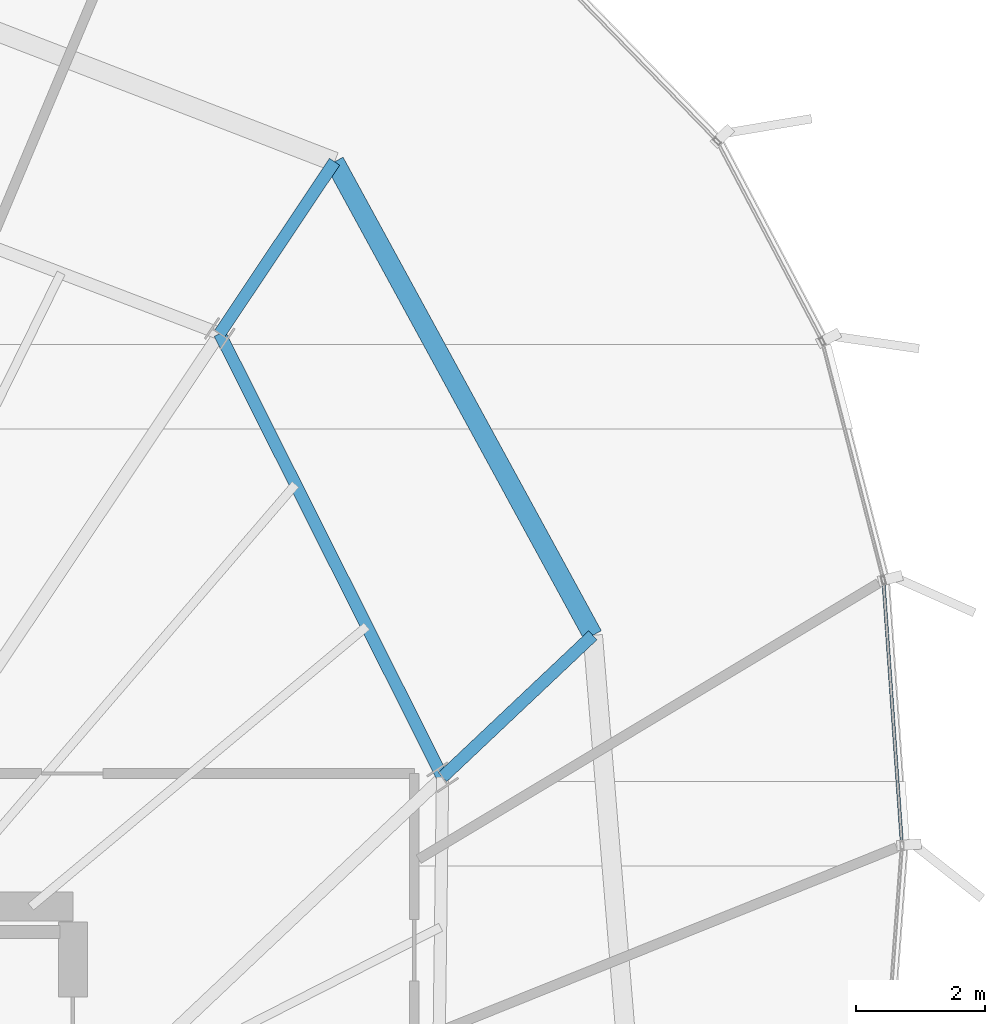
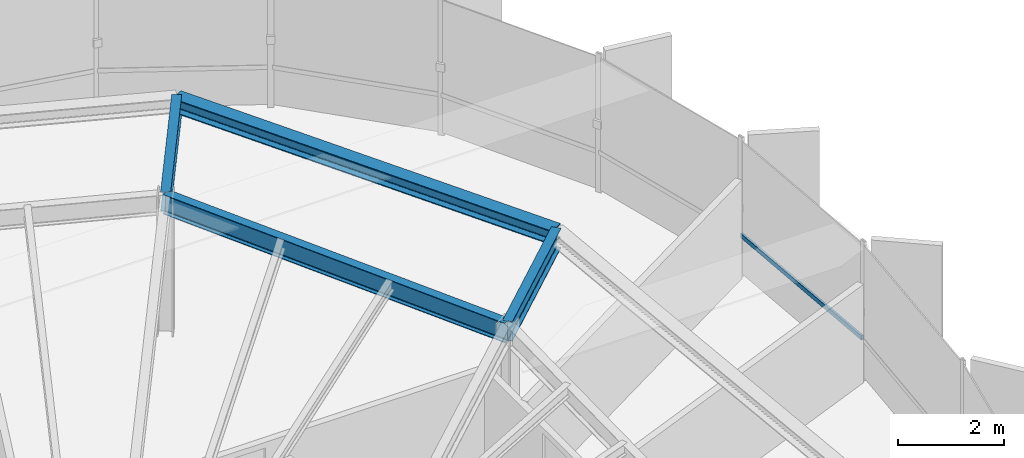
# One storey, part 25 of 35: 4 beams, 1 member, 1 element without a shape of its own.
"""IFC4 building model written with IfcOpenShell, lengths in metres."""

from ifc_helpers import new_model, si_unit, direction, frame, origin, origin_2d, place, context, subcontext, project, spatial, hollow_rectangle, i_section, extrude, source, transform, mapped, material, layer, layer_set, material_profile, profile_set, type_object, element, aggregate, save


model = new_model("IFC4")

# Units and contexts
model_context = context("Model", 3, precision=1e-05, world=origin(), true_north=direction((0.0, 1.0)))
body_context = subcontext(model_context, "Body", "Model", "MODEL_VIEW")
ifc_project = project(units=[si_unit("LENGTHUNIT", "METRE"), si_unit("AREAUNIT", "SQUARE_METRE"), si_unit("VOLUMEUNIT", "CUBIC_METRE"), si_unit("PLANEANGLEUNIT", "RADIAN"), si_unit("MASSUNIT", "GRAM", prefix="KILO"), si_unit("THERMODYNAMICTEMPERATUREUNIT", "KELVIN")], contexts=[model_context])

# Site, building, storey
site_placement = place(None, origin())
site = spatial("IfcSite", under=ifc_project, at=site_placement, CompositionType="ELEMENT")
building_placement = place(site_placement, origin())
building = spatial("IfcBuilding", under=site, at=building_placement, Name="Kethvar Cultural Tower", CompositionType="ELEMENT")
storey_placement = place(building_placement, frame((0.0, 0.0, 249.10009765625)))
storey = spatial("IfcBuildingStorey", under=building, at=storey_placement, Name="L65", CompositionType="ELEMENT", Elevation=249.10009765625)

# Beams
ifc_material_1 = material(Name="Steel S355J2", Category="steel")
ifc_material_profile_1 = material_profile(ifc_material_1, i_section(OverallWidth=0.18994140625, OverallDepth=0.449951171875, WebThickness=0.009521484375, FlangeThickness=0.0146484375, FilletRadius=0.02099609375, at=origin_2d()), Name="Steel S355J2 — IPE450")
ifc_profile_set_1 = profile_set([ifc_material_profile_1], Name="Steel S355J2 — IPE450")
beam_type_1 = type_object("IfcBeamType", Name="BM-IPE450", PredefinedType="BEAM", material=ifc_profile_set_1)
shared_shape_1 = source(origin(), body_context, "Body", "SweptSolid", [
    extrude(i_section(OverallWidth=0.18994140625, OverallDepth=0.449951171875, WebThickness=0.009521484375, FlangeThickness=0.0146484375, FilletRadius=0.02099609375, at=origin_2d()), origin(), (0.0, 0.0, 1.0), 3.199951171875),
])
beam_1_placement = place(storey_placement, frame((61.32568359375, 37.505859375, 2.98291015625), z_axis=(0.727146433404, 0.686482384616, 0.0), x_axis=(-0.686482384616, 0.727146433404, 0.0)))
element("IfcBeam", 1, at=beam_1_placement, inside=storey, type_object=beam_type_1, Name="L65 Perimeter Cantilever Beam RC-02", PredefinedType="BEAM", context=body_context, shape_type="MappedRepresentation", body=[
    mapped(shared_shape_1, transform((0.0, 0.0, 0.0), scale=1.0)),
])
shared_shape_2 = source(origin(), body_context, "Body", "SweptSolid", [
    extrude(i_section(OverallWidth=0.18994140625, OverallDepth=0.449951171875, WebThickness=0.009521484375, FlangeThickness=0.0146484375, FilletRadius=0.02099609375, at=origin_2d()), origin(), (0.0, 0.0, 1.0), 3.2001953125),
])
beam_2_placement = place(storey_placement, frame((57.875244140625, 44.375, 2.98291015625), z_axis=(0.555544970406, 0.831486491686, 0.0), x_axis=(-0.831486491686, 0.555544970406, 0.0)))
element("IfcBeam", 2, at=beam_2_placement, inside=storey, type_object=beam_type_1, Name="L65 Perimeter Cantilever Beam RC-03", PredefinedType="BEAM", context=body_context, shape_type="MappedRepresentation", body=[
    mapped(shared_shape_2, transform((0.0, 0.0, 0.0), scale=1.0)),
])
shared_shape_3 = source(origin(), body_context, "Body", "SweptSolid", [
    extrude(i_section(OverallWidth=0.18994140625, OverallDepth=0.449951171875, WebThickness=0.009521484375, FlangeThickness=0.0146484375, FilletRadius=0.02099609375, at=origin_2d()), origin(), (0.0, 0.0, 1.0), 7.68701171875),
])
beam_3_placement = place(storey_placement, frame((61.32568359375, 37.505859375, 2.98291015625), z_axis=(-0.448864354142, 0.893599905763, 0.0), x_axis=(-0.893599905763, -0.448864354142, 0.0)))
element("IfcBeam", 3, at=beam_3_placement, inside=storey, type_object=beam_type_1, Name="L65 Column Ring Tie Beam CR-02", PredefinedType="BEAM", context=body_context, shape_type="MappedRepresentation", body=[
    mapped(shared_shape_3, transform((0.0, 0.0, 0.0), scale=1.0)),
])
ifc_material_profile_2 = material_profile(ifc_material_1, i_section(OverallWidth=0.300048828125, OverallDepth=0.320068359375, WebThickness=0.011474609375, FlangeThickness=0.0205078125, FilletRadius=0.027099609375, at=origin_2d()), Name="Steel S355J2 — HEB320")
ifc_profile_set_2 = profile_set([ifc_material_profile_2], Name="Steel S355J2 — HEB320")
beam_type_2 = type_object("IfcBeamType", Name="BM-SP320", PredefinedType="SPANDREL", material=ifc_profile_set_2)
shared_shape_4 = source(origin(), body_context, "Body", "SweptSolid", [
    extrude(i_section(OverallWidth=0.300048828125, OverallDepth=0.320068359375, WebThickness=0.011474609375, FlangeThickness=0.0205078125, FilletRadius=0.027099609375, at=origin_2d()), origin(), (0.0, 0.0, 1.0), 8.35302734375),
])
beam_4_placement = place(storey_placement, frame((63.652587890625, 39.70263671875, 3.0478515625), z_axis=(-0.478811173891, 0.877917911742, 0.0), x_axis=(-0.877917911742, -0.478811173891, 0.0)))
element("IfcBeam", 4, at=beam_4_placement, inside=storey, type_object=beam_type_2, Name="L65 Perimeter Spandrel Beam SP-02", PredefinedType="SPANDREL", context=body_context, shape_type="MappedRepresentation", body=[
    mapped(shared_shape_4, transform((0.0, 0.0, 0.0), scale=1.0)),
])

# Curtain wall, member
ifc_material_2 = material(Name="Aluminium 6063-T6", Category="aluminium")
ifc_layer = layer(ifc_material_2, 0.179931640625, Name="Aluminium 6063-T6", Category="aluminium")
ifc_layer_set = layer_set([ifc_layer], Name="Aluminium 6063-T6 (180 mm)")
curtain_wall_type = type_object("IfcCurtainWallType", Name="CW-SYS-05-Z56", PredefinedType="NOTDEFINED", material=ifc_layer_set)
curtain_wall_placement = place(storey_placement, origin())
curtain_wall = element("IfcCurtainWall", 5, at=curtain_wall_placement, inside=storey, type_object=curtain_wall_type, Name="L65 Curtain Wall Run 06", PredefinedType="NOTDEFINED")
ifc_material_profile_3 = material_profile(ifc_material_2, hollow_rectangle(XDim=0.050048828125, YDim=0.10009765625, WallThickness=0.00390625, at=origin_2d()), Name="Aluminium 6063-T6 — RHS100x50x4")
ifc_profile_set_3 = profile_set([ifc_material_profile_3], Name="Aluminium 6063-T6 — RHS100x50x4")
member_type = type_object("IfcMemberType", Name="CW-SYS-05-Z56-TRN", PredefinedType="USERDEFINED", material=ifc_profile_set_3)
shared_shape_5 = source(origin(), body_context, "Body", "SweptSolid", [
    extrude(hollow_rectangle(XDim=0.050048828125, YDim=0.10009765625, WallThickness=0.00390625, at=origin_2d()), origin(), (0.0, 0.0, 1.0), 4.054443359375),
])
member_placement = place(storey_placement, frame((68.437744140625, 36.490234375, 0.949951171875), z_axis=(-0.070031665229, 0.997544768853, 0.0), x_axis=(-0.997544768853, -0.070031665229, 0.0)))
member = element("IfcMember", 6, at=member_placement, type_object=member_type, Name="CW-L65-R06 Transom 3", ObjectType="TRANSOM", PredefinedType="USERDEFINED", context=body_context, shape_type="MappedRepresentation", body=[
    mapped(shared_shape_5, transform((0.0, 0.0, 0.0), scale=1.0)),
])
aggregate(curtain_wall, [member])

save(model, "model.ifc")
